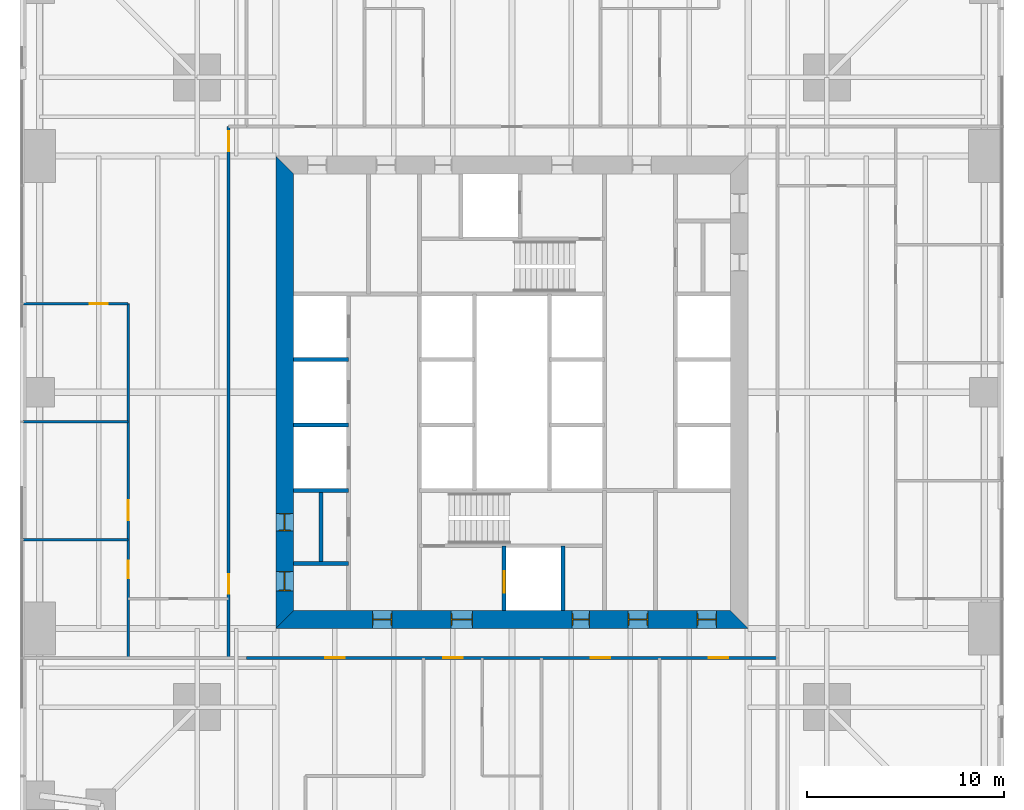
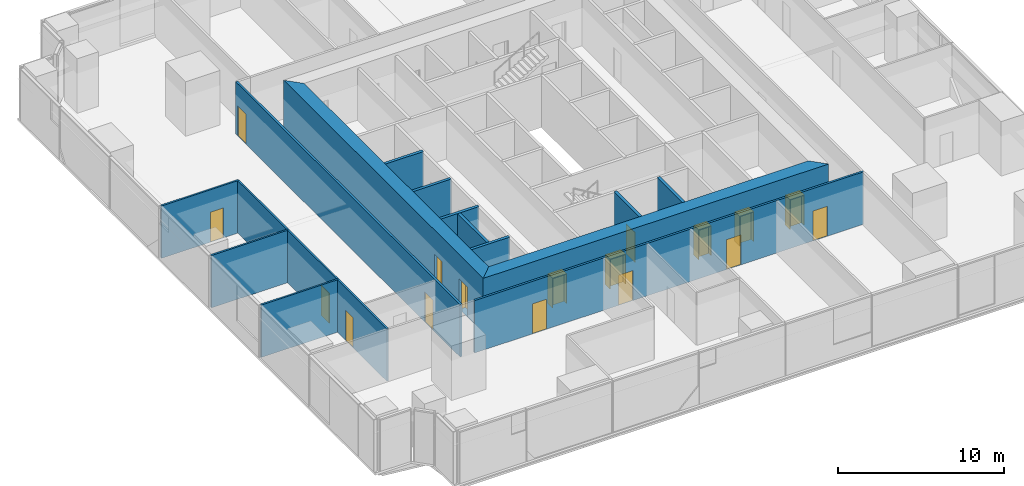
# One storey, part 9 of 13: 17 doors, 15 walls, 17 openings.
"""IFC4 building model written with IfcOpenShell, lengths in metres."""

from ifc_helpers import new_model, si_unit, direction, frame, frame_2d, origin, place, context, subcontext, project, spatial, polyline, rectangle, outline, extrude, material, layer, layer_set, type_object, element, fill, save


model = new_model("IFC4")

# Units and contexts
model_context = context("Model", 3, precision=1e-05, world=origin(), true_north=direction((0.0, 1.0)))
body_context = subcontext(model_context, "Body", "Model", "MODEL_VIEW")
ifc_project = project(units=[si_unit("LENGTHUNIT", "METRE"), si_unit("AREAUNIT", "SQUARE_METRE"), si_unit("VOLUMEUNIT", "CUBIC_METRE"), si_unit("PLANEANGLEUNIT", "RADIAN"), si_unit("MASSUNIT", "GRAM", prefix="KILO")], contexts=[model_context])

# Site, building, storey
site_placement = place(None, origin())
site = spatial("IfcSite", under=ifc_project, at=site_placement, CompositionType="ELEMENT")
building_placement = place(site_placement, origin())
building = spatial("IfcBuilding", under=site, at=building_placement, Name="Fenwick Lantern Interchange", CompositionType="ELEMENT")
storey_placement = place(building_placement, frame((0.0, 0.0, 39.0)))
storey = spatial("IfcBuildingStorey", under=building, at=storey_placement, Name="L08", CompositionType="ELEMENT", Elevation=39.0)

# Walls
ifc_material_1 = material(Name="Concrete masonry ASTM C90 Grade N", Category="masonry")
ifc_layer_1 = layer(ifc_material_1, 0.199951171875)
ifc_layer_set_1 = layer_set([ifc_layer_1], Name="Concrete masonry ASTM C90 Grade N")
wall_type_1 = type_object("IfcWallType", Name="CORE PARTITION 200", PredefinedType="PARTITIONING", material=ifc_layer_set_1)
for number, where, z_axis, x_axis, name in (
    (1, (13.89990234375, 20.0, 0.0), (0.0, 0.0, 1.0), (1.0, 0.0, 0.0), "L08/W/CORES/c2"),
    (2, (13.89990234375, 23.333251953125, 0.0), (0.0, 0.0, 1.0), (1.0, 0.0, 0.0), "L08/W/CORES/d1"),
    (3, (13.89990234375, 26.666748046875, 0.0), (0.0, 0.0, 1.0), (1.0, 0.0, 0.0), "L08/W/CORES/d2"),
):
    element("IfcWall", number, at=place(storey_placement, frame(where, z_axis=z_axis, x_axis=x_axis)), inside=storey, type_object=wall_type_1, Name=name, PredefinedType="PARTITIONING", context=body_context, shape_type="SweptSolid", body=[
        extrude(rectangle(XDim=2.800048828125, YDim=0.199951171875, at=frame_2d((1.39990234375, 0.0))), origin(), (0.0, 0.0, 1.0), 3.800048828125),
    ])

# Wall, opening, door
wall_1_placement = place(storey_placement, frame((24.60009765625, 13.89990234375, 0.0), z_axis=(0.0, 0.0, 1.0), x_axis=(0.0, 1.0, 0.0)))
wall_1 = element("IfcWall", 4, at=wall_1_placement, inside=storey, type_object=wall_type_1, Name="L08/W/CORES/h1", PredefinedType="PARTITIONING", context=body_context, shape_type="SweptSolid", body=[
    extrude(rectangle(XDim=3.300048828125, YDim=0.199951171875, at=frame_2d((1.64990234375, 0.0))), origin(), (0.0, 0.0, 1.0), 3.800048828125),
])
opening_1_placement = place(wall_1_placement, frame((0.89990234375, 0.0, 0.0)))
opening_1 = element("IfcOpeningElement", 5, at=opening_1_placement, cuts=wall_1, Name="Opening LD-FL1", PredefinedType="OPENING", context=body_context, shape_type="SweptSolid", body=[
    extrude(rectangle(XDim=1.10009765625, YDim=2.199951171875, at=frame_2d((0.550048828125, 1.10009765625))), frame((0.0, 0.10986328125, 0.0), z_axis=(0.0, -1.0, 0.0), x_axis=(1.0, 0.0, 0.0)), (0.0, 0.0, 1.0), 0.219970703125),
])
ifc_material_2 = material(Name="Steel door and frame", Category="steel")
door_type_1 = type_object("IfcDoorType", Name="LIFT LANDING DOOR 1100 X 2200", OperationType="DOUBLE_DOOR_SLIDING", PredefinedType="DOOR", material=ifc_material_2)
door_1_placement = place(opening_1_placement, origin())
door_1 = element("IfcDoor", 6, at=door_1_placement, inside=storey, type_object=door_type_1, Name="Lift landing door FL1", OperationType="DOUBLE_DOOR_SLIDING", OverallHeight=2.199951171875, OverallWidth=1.10009765625, PredefinedType="DOOR", context=body_context, shape_type="SweptSolid", body=[
    extrude(rectangle(XDim=1.10009765625, YDim=2.199951171875, at=frame_2d((0.550048828125, 1.10009765625))), frame((0.0, 0.02490234375, 0.0), z_axis=(0.0, -1.0, 0.0), x_axis=(1.0, 0.0, 0.0)), (0.0, 0.0, 1.0), 0.050048828125),
])
fill(opening_1, door_1)

# Walls
wall_2_placement = place(storey_placement, frame((27.60009765625, 13.89990234375, 0.0), z_axis=(0.0, 0.0, 1.0), x_axis=(0.0, 1.0, 0.0)))
element("IfcWall", 7, at=wall_2_placement, inside=storey, type_object=wall_type_1, Name="L08/W/CORES/h2", PredefinedType="PARTITIONING", context=body_context, shape_type="SweptSolid", body=[
    extrude(rectangle(XDim=3.300048828125, YDim=0.199951171875, at=frame_2d((1.64990234375, 0.0))), origin(), (0.0, 0.0, 1.0), 3.800048828125),
])
wall_3_placement = place(storey_placement, frame((13.89990234375, 16.300048828125, 0.0), z_axis=(0.0, 0.0, 1.0), x_axis=(1.0, 0.0, 0.0)))
element("IfcWall", 8, at=wall_3_placement, inside=storey, type_object=wall_type_1, Name="L08/W/CORES/p1", PredefinedType="PARTITIONING", context=body_context, shape_type="SweptSolid", body=[
    extrude(rectangle(XDim=2.800048828125, YDim=0.199951171875, at=frame_2d((1.39990234375, 0.0))), origin(), (0.0, 0.0, 1.0), 3.800048828125),
])
wall_4_placement = place(storey_placement, frame((15.300048828125, 16.300048828125, 0.0), z_axis=(0.0, 0.0, 1.0), x_axis=(0.0, 1.0, 0.0)))
element("IfcWall", 9, at=wall_4_placement, inside=storey, type_object=wall_type_1, Name="L08/W/CORES/px", PredefinedType="PARTITIONING", context=body_context, shape_type="SweptSolid", body=[
    extrude(rectangle(XDim=3.699951171875, YDim=0.199951171875, at=frame_2d((1.85009765625, 0.0))), origin(), (0.0, 0.0, 1.0), 3.800048828125),
])

# Wall, openings, doors
ifc_material_3 = material(Name="Concrete f'c 70 MPa", Category="concrete")
ifc_layer_2 = layer(ifc_material_3, 0.89990234375)
ifc_layer_set_2 = layer_set([ifc_layer_2], Name="CORE WALL 900")
wall_type_2 = type_object("IfcWallType", Name="CORE WALL 900", PredefinedType="SHEAR", material=ifc_layer_set_2)
wall_5_placement = place(storey_placement, frame((13.0, 13.449951171875, 0.0), z_axis=(0.0, 0.0, 1.0), x_axis=(1.0, 0.0, 0.0)))
wall_5 = element("IfcWall", 10, at=wall_5_placement, inside=storey, type_object=wall_type_2, Name="L08/CORE/S", PredefinedType="SHEAR", context=body_context, shape_type="SweptSolid", body=[
    extrude(outline(polyline([(0.0, -0.449951171875), (24.0, -0.449951171875), (23.10009765625, 0.449951171875), (0.89990234375, 0.449951171875), (0.0, -0.449951171875)])), origin(), (0.0, 0.0, 1.0), 4.0),
])
opening_2_placement = place(wall_5_placement, frame((4.89990234375, 0.0, 0.0)))
opening_2 = element("IfcOpeningElement", 11, at=opening_2_placement, cuts=wall_5, Name="Opening L08-D001", PredefinedType="OPENING", context=body_context, shape_type="SweptSolid", body=[
    extrude(rectangle(XDim=1.0, YDim=2.199951171875, at=frame_2d((0.5, 1.10009765625))), frame((0.0, 0.4599609375, 0.0), z_axis=(0.0, -1.0, 0.0), x_axis=(1.0, 0.0, 0.0)), (0.0, 0.0, 1.0), 0.919921875),
])
opening_3_placement = place(wall_5_placement, frame((8.89990234375, 0.0, 0.0)))
opening_3 = element("IfcOpeningElement", 12, at=opening_3_placement, cuts=wall_5, Name="Opening L08-D002", PredefinedType="OPENING", context=body_context, shape_type="SweptSolid", body=[
    extrude(rectangle(XDim=1.10009765625, YDim=2.199951171875, at=frame_2d((0.550048828125, 1.10009765625))), frame((0.0, 0.4599609375, 0.0), z_axis=(0.0, -1.0, 0.0), x_axis=(1.0, 0.0, 0.0)), (0.0, 0.0, 1.0), 0.919921875),
])
opening_4_placement = place(wall_5_placement, frame((15.050048828125, 0.0, 0.0)))
opening_4 = element("IfcOpeningElement", 13, at=opening_4_placement, cuts=wall_5, Name="Opening L08-D004", PredefinedType="OPENING", context=body_context, shape_type="SweptSolid", body=[
    extrude(rectangle(XDim=0.89990234375, YDim=2.199951171875, at=frame_2d((0.449951171875, 1.10009765625))), frame((0.0, 0.4599609375, 0.0), z_axis=(0.0, -1.0, 0.0), x_axis=(1.0, 0.0, 0.0)), (0.0, 0.0, 1.0), 0.919921875),
])
opening_5_placement = place(wall_5_placement, frame((17.89990234375, 0.0, 0.0)))
opening_5 = element("IfcOpeningElement", 14, at=opening_5_placement, cuts=wall_5, Name="Opening L08-D005", PredefinedType="OPENING", context=body_context, shape_type="SweptSolid", body=[
    extrude(rectangle(XDim=1.0, YDim=2.199951171875, at=frame_2d((0.5, 1.10009765625))), frame((0.0, 0.4599609375, 0.0), z_axis=(0.0, -1.0, 0.0), x_axis=(1.0, 0.0, 0.0)), (0.0, 0.0, 1.0), 0.919921875),
])
opening_6_placement = place(wall_5_placement, frame((21.39990234375, 0.0, 0.0)))
opening_6 = element("IfcOpeningElement", 15, at=opening_6_placement, cuts=wall_5, Name="Opening L08-D006", PredefinedType="OPENING", context=body_context, shape_type="SweptSolid", body=[
    extrude(rectangle(XDim=1.0, YDim=2.199951171875, at=frame_2d((0.5, 1.10009765625))), frame((0.0, 0.4599609375, 0.0), z_axis=(0.0, -1.0, 0.0), x_axis=(1.0, 0.0, 0.0)), (0.0, 0.0, 1.0), 0.919921875),
])
door_type_2 = type_object("IfcDoorType", Name="CORE LOBBY DOOR 1000 X 2200", OperationType="SINGLE_SWING_LEFT", PredefinedType="DOOR", material=ifc_material_2)
door_2_placement = place(opening_2_placement, origin())
door_2 = element("IfcDoor", 16, at=door_2_placement, inside=storey, type_object=door_type_2, Name="Core lobby door", OperationType="SINGLE_SWING_LEFT", OverallHeight=2.199951171875, OverallWidth=1.0, PredefinedType="DOOR", context=body_context, shape_type="SweptSolid", body=[
    extrude(rectangle(XDim=1.0, YDim=2.199951171875, at=frame_2d((0.5, 1.10009765625))), frame((0.0, 0.02490234375, 0.0), z_axis=(0.0, -1.0, 0.0), x_axis=(1.0, 0.0, 0.0)), (0.0, 0.0, 1.0), 0.050048828125),
    extrude(outline(polyline([(0.0, 0.0), (0.0400390625, 0.0), (0.0400390625, 2.159912109375), (0.9599609375, 2.159912109375), (0.9599609375, 0.0), (1.0, 0.0), (1.0, 2.199951171875), (0.0, 2.199951171875), (0.0, 0.0)])), frame((0.0, 0.300048828125, 0.0), z_axis=(0.0, -1.0, 0.0), x_axis=(1.0, 0.0, 0.0)), (0.0, 0.0, 1.0), 0.60009765625),
])
fill(opening_2, door_2)
door_type_3 = type_object("IfcDoorType", Name="FIRE LOBBY DOOR 1100 X 2200", OperationType="SINGLE_SWING_LEFT", PredefinedType="DOOR", material=ifc_material_2)
door_3_placement = place(opening_3_placement, origin())
door_3 = element("IfcDoor", 17, at=door_3_placement, inside=storey, type_object=door_type_3, Name="Fire lobby door", OperationType="SINGLE_SWING_LEFT", OverallHeight=2.199951171875, OverallWidth=1.10009765625, PredefinedType="DOOR", context=body_context, shape_type="SweptSolid", body=[
    extrude(rectangle(XDim=1.10009765625, YDim=2.199951171875, at=frame_2d((0.550048828125, 1.10009765625))), frame((0.0, 0.02490234375, 0.0), z_axis=(0.0, -1.0, 0.0), x_axis=(1.0, 0.0, 0.0)), (0.0, 0.0, 1.0), 0.050048828125),
    extrude(outline(polyline([(0.0, 0.0), (0.0400390625, 0.0), (0.0400390625, 2.159912109375), (1.06005859375, 2.159912109375), (1.06005859375, 0.0), (1.10009765625, 0.0), (1.10009765625, 2.199951171875), (0.0, 2.199951171875), (0.0, 0.0)])), frame((0.0, 0.300048828125, 0.0), z_axis=(0.0, -1.0, 0.0), x_axis=(1.0, 0.0, 0.0)), (0.0, 0.0, 1.0), 0.60009765625),
])
fill(opening_3, door_3)
door_type_4 = type_object("IfcDoorType", Name="SERVICE DOOR 900 X 2200", OperationType="SINGLE_SWING_LEFT", PredefinedType="DOOR", material=ifc_material_2)
door_4_placement = place(opening_4_placement, origin())
door_4 = element("IfcDoor", 18, at=door_4_placement, inside=storey, type_object=door_type_4, Name="Service door", OperationType="SINGLE_SWING_LEFT", OverallHeight=2.199951171875, OverallWidth=0.89990234375, PredefinedType="DOOR", context=body_context, shape_type="SweptSolid", body=[
    extrude(rectangle(XDim=0.89990234375, YDim=2.199951171875, at=frame_2d((0.449951171875, 1.10009765625))), frame((0.0, 0.02490234375, 0.0), z_axis=(0.0, -1.0, 0.0), x_axis=(1.0, 0.0, 0.0)), (0.0, 0.0, 1.0), 0.050048828125),
    extrude(outline(polyline([(0.0, 0.0), (0.0400390625, 0.0), (0.0400390625, 2.159912109375), (0.85986328125, 2.159912109375), (0.85986328125, 0.0), (0.89990234375, 0.0), (0.89990234375, 2.199951171875), (0.0, 2.199951171875), (0.0, 0.0)])), frame((0.0, 0.300048828125, 0.0), z_axis=(0.0, -1.0, 0.0), x_axis=(1.0, 0.0, 0.0)), (0.0, 0.0, 1.0), 0.60009765625),
])
fill(opening_4, door_4)
ifc_material_4 = material(Name="Hardwood door and steel frame", Category="steel")
door_type_5 = type_object("IfcDoorType", Name="WC DOOR 1000 X 2200", OperationType="SINGLE_SWING_LEFT", PredefinedType="DOOR", material=ifc_material_4)
door_5_placement = place(opening_5_placement, origin())
door_5 = element("IfcDoor", 19, at=door_5_placement, inside=storey, type_object=door_type_5, Name="Wc door", OperationType="SINGLE_SWING_RIGHT", OverallHeight=2.199951171875, OverallWidth=1.0, PredefinedType="DOOR", context=body_context, shape_type="SweptSolid", body=[
    extrude(rectangle(XDim=1.0, YDim=2.199951171875, at=frame_2d((0.5, 1.10009765625))), frame((0.0, 0.02490234375, 0.0), z_axis=(0.0, -1.0, 0.0), x_axis=(1.0, 0.0, 0.0)), (0.0, 0.0, 1.0), 0.050048828125),
    extrude(outline(polyline([(0.0, 0.0), (0.0400390625, 0.0), (0.0400390625, 2.159912109375), (0.9599609375, 2.159912109375), (0.9599609375, 0.0), (1.0, 0.0), (1.0, 2.199951171875), (0.0, 2.199951171875), (0.0, 0.0)])), frame((0.0, 0.300048828125, 0.0), z_axis=(0.0, -1.0, 0.0), x_axis=(1.0, 0.0, 0.0)), (0.0, 0.0, 1.0), 0.60009765625),
])
fill(opening_5, door_5)
door_6_placement = place(opening_6_placement, origin())
door_6 = element("IfcDoor", 20, at=door_6_placement, inside=storey, type_object=door_type_5, Name="Wc door", OperationType="SINGLE_SWING_RIGHT", OverallHeight=2.199951171875, OverallWidth=1.0, PredefinedType="DOOR", context=body_context, shape_type="SweptSolid", body=[
    extrude(rectangle(XDim=1.0, YDim=2.199951171875, at=frame_2d((0.5, 1.10009765625))), frame((0.0, 0.02490234375, 0.0), z_axis=(0.0, -1.0, 0.0), x_axis=(1.0, 0.0, 0.0)), (0.0, 0.0, 1.0), 0.050048828125),
    extrude(outline(polyline([(0.0, 0.0), (0.0400390625, 0.0), (0.0400390625, 2.159912109375), (0.9599609375, 2.159912109375), (0.9599609375, 0.0), (1.0, 0.0), (1.0, 2.199951171875), (0.0, 2.199951171875), (0.0, 0.0)])), frame((0.0, 0.300048828125, 0.0), z_axis=(0.0, -1.0, 0.0), x_axis=(1.0, 0.0, 0.0)), (0.0, 0.0, 1.0), 0.60009765625),
])
fill(opening_6, door_6)

wall_6_placement = place(storey_placement, frame((13.449951171875, 36.10009765625, 0.0), z_axis=(0.0, 0.0, 1.0), x_axis=(0.0, -1.0, 0.0)))
wall_6 = element("IfcWall", 21, at=wall_6_placement, inside=storey, type_object=wall_type_2, Name="L08/CORE/W", PredefinedType="SHEAR", context=body_context, shape_type="SweptSolid", body=[
    extrude(outline(polyline([(-0.89990234375, -0.449951171875), (23.10009765625, -0.449951171875), (22.199951171875, 0.449951171875), (0.0, 0.449951171875), (-0.89990234375, -0.449951171875)])), origin(), (0.0, 0.0, 1.0), 4.0),
])
opening_7_placement = place(wall_6_placement, frame((20.199951171875, 0.0, 0.0)))
opening_7 = element("IfcOpeningElement", 22, at=opening_7_placement, cuts=wall_6, Name="Opening L08-D007", PredefinedType="OPENING", context=body_context, shape_type="SweptSolid", body=[
    extrude(rectangle(XDim=1.0, YDim=2.199951171875, at=frame_2d((0.5, 1.10009765625))), frame((0.0, 0.4599609375, 0.0), z_axis=(0.0, -1.0, 0.0), x_axis=(1.0, 0.0, 0.0)), (0.0, 0.0, 1.0), 0.919921875),
])
opening_8_placement = place(wall_6_placement, frame((17.25, 0.0, 0.0)))
opening_8 = element("IfcOpeningElement", 23, at=opening_8_placement, cuts=wall_6, Name="Opening L08-D009", PredefinedType="OPENING", context=body_context, shape_type="SweptSolid", body=[
    extrude(rectangle(XDim=0.89990234375, YDim=2.199951171875, at=frame_2d((0.449951171875, 1.10009765625))), frame((0.0, 0.4599609375, 0.0), z_axis=(0.0, -1.0, 0.0), x_axis=(1.0, 0.0, 0.0)), (0.0, 0.0, 1.0), 0.919921875),
])
door_7_placement = place(opening_8_placement, origin())
door_7 = element("IfcDoor", 24, at=door_7_placement, inside=storey, type_object=door_type_4, Name="Service door", OperationType="SINGLE_SWING_LEFT", OverallHeight=2.199951171875, OverallWidth=0.89990234375, PredefinedType="DOOR", context=body_context, shape_type="SweptSolid", body=[
    extrude(rectangle(XDim=0.89990234375, YDim=2.199951171875, at=frame_2d((0.449951171875, 1.10009765625))), frame((0.0, 0.02490234375, 0.0), z_axis=(0.0, -1.0, 0.0), x_axis=(1.0, 0.0, 0.0)), (0.0, 0.0, 1.0), 0.050048828125),
    extrude(outline(polyline([(0.0, 0.0), (0.0400390625, 0.0), (0.0400390625, 2.159912109375), (0.85986328125, 2.159912109375), (0.85986328125, 0.0), (0.89990234375, 0.0), (0.89990234375, 2.199951171875), (0.0, 2.199951171875), (0.0, 0.0)])), frame((0.0, 0.300048828125, 0.0), z_axis=(0.0, -1.0, 0.0), x_axis=(1.0, 0.0, 0.0)), (0.0, 0.0, 1.0), 0.60009765625),
])
fill(opening_8, door_7)
door_8_placement = place(opening_7_placement, origin())
door_8 = element("IfcDoor", 25, at=door_8_placement, inside=storey, type_object=door_type_5, Name="Wc door", OperationType="SINGLE_SWING_LEFT", OverallHeight=2.199951171875, OverallWidth=1.0, PredefinedType="DOOR", context=body_context, shape_type="SweptSolid", body=[
    extrude(rectangle(XDim=1.0, YDim=2.199951171875, at=frame_2d((0.5, 1.10009765625))), frame((0.0, 0.02490234375, 0.0), z_axis=(0.0, -1.0, 0.0), x_axis=(1.0, 0.0, 0.0)), (0.0, 0.0, 1.0), 0.050048828125),
    extrude(outline(polyline([(0.0, 0.0), (0.0400390625, 0.0), (0.0400390625, 2.159912109375), (0.9599609375, 2.159912109375), (0.9599609375, 0.0), (1.0, 0.0), (1.0, 2.199951171875), (0.0, 2.199951171875), (0.0, 0.0)])), frame((0.0, 0.300048828125, 0.0), z_axis=(0.0, -1.0, 0.0), x_axis=(1.0, 0.0, 0.0)), (0.0, 0.0, 1.0), 0.60009765625),
])
fill(opening_7, door_8)

ifc_material_5 = material(Name="Gypsum board on steel studs, 1 hour", Category="steel")
ifc_layer_3 = layer(ifc_material_5, 0.14990234375)
ifc_layer_set_3 = layer_set([ifc_layer_3], Name="CORRIDOR WALL 150")
wall_type_3 = type_object("IfcWallType", Name="CORRIDOR WALL 150", PredefinedType="PARTITIONING", material=ifc_layer_set_3)
wall_7_placement = place(storey_placement, frame((11.5, 11.5, 0.0), z_axis=(0.0, 0.0, 1.0), x_axis=(1.0, 0.0, 0.0)))
wall_7 = element("IfcWall", 26, at=wall_7_placement, inside=storey, type_object=wall_type_3, Name="L08/W/OFF/S/CW", PredefinedType="PARTITIONING", context=body_context, shape_type="SweptSolid", body=[
    extrude(rectangle(XDim=27.0, YDim=0.14990234375, at=frame_2d((13.5, 0.0))), origin(), (0.0, 0.0, 1.0), 3.85009765625),
])
opening_9_placement = place(wall_7_placement, frame((4.0, 0.0, 0.0)))
opening_9 = element("IfcOpeningElement", 27, at=opening_9_placement, cuts=wall_7, Name="Opening L08-D019", PredefinedType="OPENING", context=body_context, shape_type="SweptSolid", body=[
    extrude(rectangle(XDim=1.0, YDim=2.199951171875, at=frame_2d((0.5, 1.10009765625))), frame((0.0, 0.0849609375, 0.0), z_axis=(0.0, -1.0, 0.0), x_axis=(1.0, 0.0, 0.0)), (0.0, 0.0, 1.0), 0.169921875),
])
opening_10_placement = place(wall_7_placement, frame((10.0, 0.0, 0.0)))
opening_10 = element("IfcOpeningElement", 28, at=opening_10_placement, cuts=wall_7, Name="Opening L08-D020", PredefinedType="OPENING", context=body_context, shape_type="SweptSolid", body=[
    extrude(rectangle(XDim=1.0, YDim=2.199951171875, at=frame_2d((0.5, 1.10009765625))), frame((0.0, 0.0849609375, 0.0), z_axis=(0.0, -1.0, 0.0), x_axis=(1.0, 0.0, 0.0)), (0.0, 0.0, 1.0), 0.169921875),
])
opening_11_placement = place(wall_7_placement, frame((17.5, 0.0, 0.0)))
opening_11 = element("IfcOpeningElement", 29, at=opening_11_placement, cuts=wall_7, Name="Opening L08-D022", PredefinedType="OPENING", context=body_context, shape_type="SweptSolid", body=[
    extrude(rectangle(XDim=1.0, YDim=2.199951171875, at=frame_2d((0.5, 1.10009765625))), frame((0.0, 0.0849609375, 0.0), z_axis=(0.0, -1.0, 0.0), x_axis=(1.0, 0.0, 0.0)), (0.0, 0.0, 1.0), 0.169921875),
])
opening_12_placement = place(wall_7_placement, frame((23.5, 0.0, 0.0)))
opening_12 = element("IfcOpeningElement", 30, at=opening_12_placement, cuts=wall_7, Name="Opening L08-D023", PredefinedType="OPENING", context=body_context, shape_type="SweptSolid", body=[
    extrude(rectangle(XDim=1.0, YDim=2.199951171875, at=frame_2d((0.5, 1.10009765625))), frame((0.0, 0.0849609375, 0.0), z_axis=(0.0, -1.0, 0.0), x_axis=(1.0, 0.0, 0.0)), (0.0, 0.0, 1.0), 0.169921875),
])
door_type_6 = type_object("IfcDoorType", Name="SUITE ENTRANCE DOOR 1000 X 2200", OperationType="SINGLE_SWING_LEFT", PredefinedType="DOOR", material=ifc_material_2)
door_9_placement = place(opening_9_placement, frame((1.0, 0.0, 0.0), z_axis=(0.0, 0.0, 1.0), x_axis=(-1.0, 0.0, 0.0)))
door_9 = element("IfcDoor", 31, at=door_9_placement, inside=storey, type_object=door_type_6, Name="Suite entrance door", OperationType="SINGLE_SWING_LEFT", OverallHeight=2.199951171875, OverallWidth=1.0, PredefinedType="DOOR", context=body_context, shape_type="SweptSolid", body=[
    extrude(rectangle(XDim=1.0, YDim=2.199951171875, at=frame_2d((0.5, 1.10009765625))), frame((0.0, 0.02490234375, 0.0), z_axis=(0.0, -1.0, 0.0), x_axis=(1.0, 0.0, 0.0)), (0.0, 0.0, 1.0), 0.050048828125),
])
fill(opening_9, door_9)
door_10_placement = place(opening_10_placement, frame((1.0, 0.0, 0.0), z_axis=(0.0, 0.0, 1.0), x_axis=(-1.0, 0.0, 0.0)))
door_10 = element("IfcDoor", 32, at=door_10_placement, inside=storey, type_object=door_type_6, Name="Suite entrance door", OperationType="SINGLE_SWING_RIGHT", OverallHeight=2.199951171875, OverallWidth=1.0, PredefinedType="DOOR", context=body_context, shape_type="SweptSolid", body=[
    extrude(rectangle(XDim=1.0, YDim=2.199951171875, at=frame_2d((0.5, 1.10009765625))), frame((0.0, 0.02490234375, 0.0), z_axis=(0.0, -1.0, 0.0), x_axis=(1.0, 0.0, 0.0)), (0.0, 0.0, 1.0), 0.050048828125),
])
fill(opening_10, door_10)
door_11_placement = place(opening_11_placement, frame((1.0, 0.0, 0.0), z_axis=(0.0, 0.0, 1.0), x_axis=(-1.0, 0.0, 0.0)))
door_11 = element("IfcDoor", 33, at=door_11_placement, inside=storey, type_object=door_type_6, Name="Suite entrance door", OperationType="SINGLE_SWING_RIGHT", OverallHeight=2.199951171875, OverallWidth=1.0, PredefinedType="DOOR", context=body_context, shape_type="SweptSolid", body=[
    extrude(rectangle(XDim=1.0, YDim=2.199951171875, at=frame_2d((0.5, 1.10009765625))), frame((0.0, 0.02490234375, 0.0), z_axis=(0.0, -1.0, 0.0), x_axis=(1.0, 0.0, 0.0)), (0.0, 0.0, 1.0), 0.050048828125),
])
fill(opening_11, door_11)
door_12_placement = place(opening_12_placement, frame((1.0, 0.0, 0.0), z_axis=(0.0, 0.0, 1.0), x_axis=(-1.0, 0.0, 0.0)))
door_12 = element("IfcDoor", 34, at=door_12_placement, inside=storey, type_object=door_type_6, Name="Suite entrance door", OperationType="SINGLE_SWING_RIGHT", OverallHeight=2.199951171875, OverallWidth=1.0, PredefinedType="DOOR", context=body_context, shape_type="SweptSolid", body=[
    extrude(rectangle(XDim=1.0, YDim=2.199951171875, at=frame_2d((0.5, 1.10009765625))), frame((0.0, 0.02490234375, 0.0), z_axis=(0.0, -1.0, 0.0), x_axis=(1.0, 0.0, 0.0)), (0.0, 0.0, 1.0), 0.050048828125),
])
fill(opening_12, door_12)

wall_8_placement = place(storey_placement, frame((10.60009765625, 38.5, 0.0), z_axis=(0.0, 0.0, 1.0), x_axis=(0.0, -1.0, 0.0)))
wall_8 = element("IfcWall", 35, at=wall_8_placement, inside=storey, type_object=wall_type_3, Name="L08/W/OFF/W/CW2", PredefinedType="PARTITIONING", context=body_context, shape_type="SweptSolid", body=[
    extrude(rectangle(XDim=27.0, YDim=0.14990234375, at=frame_2d((13.5, 0.0))), origin(), (0.0, 0.0, 1.0), 3.85009765625),
])
opening_13_placement = place(wall_8_placement, frame((0.25, 0.0, 0.0)))
opening_13 = element("IfcOpeningElement", 36, at=opening_13_placement, cuts=wall_8, Name="Opening L08-D036", PredefinedType="OPENING", context=body_context, shape_type="SweptSolid", body=[
    extrude(rectangle(XDim=1.0, YDim=2.199951171875, at=frame_2d((0.5, 1.10009765625))), frame((0.0, 0.0849609375, 0.0), z_axis=(0.0, -1.0, 0.0), x_axis=(1.0, 0.0, 0.0)), (0.0, 0.0, 1.0), 0.169921875),
])
opening_14_placement = place(wall_8_placement, frame((22.75, 0.0, 0.0)))
opening_14 = element("IfcOpeningElement", 37, at=opening_14_placement, cuts=wall_8, Name="Opening L08-D037", PredefinedType="OPENING", context=body_context, shape_type="SweptSolid", body=[
    extrude(rectangle(XDim=1.0, YDim=2.199951171875, at=frame_2d((0.5, 1.10009765625))), frame((0.0, 0.0849609375, 0.0), z_axis=(0.0, -1.0, 0.0), x_axis=(1.0, 0.0, 0.0)), (0.0, 0.0, 1.0), 0.169921875),
])
door_13_placement = place(opening_13_placement, origin())
door_13 = element("IfcDoor", 38, at=door_13_placement, inside=storey, type_object=door_type_6, Name="Suite entrance door", OperationType="SINGLE_SWING_LEFT", OverallHeight=2.199951171875, OverallWidth=1.0, PredefinedType="DOOR", context=body_context, shape_type="SweptSolid", body=[
    extrude(rectangle(XDim=1.0, YDim=2.199951171875, at=frame_2d((0.5, 1.10009765625))), frame((0.0, 0.02490234375, 0.0), z_axis=(0.0, -1.0, 0.0), x_axis=(1.0, 0.0, 0.0)), (0.0, 0.0, 1.0), 0.050048828125),
])
fill(opening_13, door_13)
door_14_placement = place(opening_14_placement, origin())
door_14 = element("IfcDoor", 39, at=door_14_placement, inside=storey, type_object=door_type_6, Name="Suite entrance door", OperationType="SINGLE_SWING_RIGHT", OverallHeight=2.199951171875, OverallWidth=1.0, PredefinedType="DOOR", context=body_context, shape_type="SweptSolid", body=[
    extrude(rectangle(XDim=1.0, YDim=2.199951171875, at=frame_2d((0.5, 1.10009765625))), frame((0.0, 0.02490234375, 0.0), z_axis=(0.0, -1.0, 0.0), x_axis=(1.0, 0.0, 0.0)), (0.0, 0.0, 1.0), 0.050048828125),
])
fill(opening_14, door_14)

# Wall, opening, door
ifc_material_6 = material(Name="Gypsum board on steel studs, acoustic", Category="steel")
ifc_layer_4 = layer(ifc_material_6, 0.125)
ifc_layer_set_4 = layer_set([ifc_layer_4], Name="OFFICE PARTITION 125")
wall_type_4 = type_object("IfcWallType", Name="OFFICE PARTITION 125", PredefinedType="PARTITIONING", material=ifc_layer_set_4)
wall_9_placement = place(storey_placement, frame((0.14990234375, 29.5, 0.0), z_axis=(0.0, 0.0, 1.0), x_axis=(1.0, 0.0, 0.0)))
wall_9 = element("IfcWall", 40, at=wall_9_placement, inside=storey, type_object=wall_type_4, Name="L08/W/OFF/W/X205-1", PredefinedType="PARTITIONING", context=body_context, shape_type="SweptSolid", body=[
    extrude(rectangle(XDim=5.35009765625, YDim=0.125, at=frame_2d((2.675048828125, 0.0))), origin(), (0.0, 0.0, 1.0), 3.85009765625),
])
opening_15_placement = place(wall_9_placement, frame((3.39990234375, 0.0, 0.0)))
opening_15 = element("IfcOpeningElement", 41, at=opening_15_placement, cuts=wall_9, Name="Opening L08-D038", PredefinedType="OPENING", context=body_context, shape_type="SweptSolid", body=[
    extrude(rectangle(XDim=0.89990234375, YDim=2.199951171875, at=frame_2d((0.449951171875, 1.10009765625))), frame((0.0, 0.072509765625, 0.0), z_axis=(0.0, -1.0, 0.0), x_axis=(1.0, 0.0, 0.0)), (0.0, 0.0, 1.0), 0.14501953125),
])
door_type_7 = type_object("IfcDoorType", Name="OFFICE DOOR 900 X 2200", OperationType="SINGLE_SWING_LEFT", PredefinedType="DOOR", material=ifc_material_4)
door_15_placement = place(opening_15_placement, frame((0.89990234375, 0.0, 0.0), z_axis=(0.0, 0.0, 1.0), x_axis=(-1.0, 0.0, 0.0)))
door_15 = element("IfcDoor", 42, at=door_15_placement, inside=storey, type_object=door_type_7, Name="Office door", OperationType="SINGLE_SWING_LEFT", OverallHeight=2.199951171875, OverallWidth=0.89990234375, PredefinedType="DOOR", context=body_context, shape_type="SweptSolid", body=[
    extrude(rectangle(XDim=0.89990234375, YDim=2.199951171875, at=frame_2d((0.449951171875, 1.10009765625))), frame((0.0, 0.02490234375, 0.0), z_axis=(0.0, -1.0, 0.0), x_axis=(1.0, 0.0, 0.0)), (0.0, 0.0, 1.0), 0.050048828125),
])
fill(opening_15, door_15)

# Walls
for number, where, z_axis, x_axis, name in (
    (43, (0.14990234375, 23.5, 0.0), (0.0, 0.0, 1.0), (1.0, 0.0, 0.0), "L08/W/OFF/W/X265-1"),
    (44, (0.14990234375, 17.5, 0.0), (0.0, 0.0, 1.0), (1.0, 0.0, 0.0), "L08/W/OFF/W/X325-1"),
):
    element("IfcWall", number, at=place(storey_placement, frame(where, z_axis=z_axis, x_axis=x_axis)), inside=storey, type_object=wall_type_4, Name=name, PredefinedType="PARTITIONING", context=body_context, shape_type="SweptSolid", body=[
        extrude(rectangle(XDim=5.35009765625, YDim=0.125, at=frame_2d((2.675048828125, 0.0))), origin(), (0.0, 0.0, 1.0), 3.85009765625),
    ])

# Wall, openings, doors
wall_10_placement = place(storey_placement, frame((5.5, 29.5, 0.0), z_axis=(0.0, 0.0, 1.0), x_axis=(0.0, -1.0, 0.0)))
wall_10 = element("IfcWall", 45, at=wall_10_placement, inside=storey, type_object=wall_type_4, Name="L08/W/OFF/W/Y55-1", PredefinedType="PARTITIONING", context=body_context, shape_type="SweptSolid", body=[
    extrude(rectangle(XDim=18.0, YDim=0.125, at=frame_2d((9.0, 0.0))), origin(), (0.0, 0.0, 1.0), 3.85009765625),
])
opening_16_placement = place(wall_10_placement, frame((10.0, 0.0, 0.0)))
opening_16 = element("IfcOpeningElement", 46, at=opening_16_placement, cuts=wall_10, Name="Opening L08-D039", PredefinedType="OPENING", context=body_context, shape_type="SweptSolid", body=[
    extrude(rectangle(XDim=1.0, YDim=2.199951171875, at=frame_2d((0.5, 1.10009765625))), frame((0.0, 0.072509765625, 0.0), z_axis=(0.0, -1.0, 0.0), x_axis=(1.0, 0.0, 0.0)), (0.0, 0.0, 1.0), 0.14501953125),
])
opening_17_placement = place(wall_10_placement, frame((13.050048828125, 0.0, 0.0)))
opening_17 = element("IfcOpeningElement", 47, at=opening_17_placement, cuts=wall_10, Name="Opening L08-D040", PredefinedType="OPENING", context=body_context, shape_type="SweptSolid", body=[
    extrude(rectangle(XDim=0.89990234375, YDim=2.199951171875, at=frame_2d((0.449951171875, 1.10009765625))), frame((0.0, 0.072509765625, 0.0), z_axis=(0.0, -1.0, 0.0), x_axis=(1.0, 0.0, 0.0)), (0.0, 0.0, 1.0), 0.14501953125),
])
door_type_8 = type_object("IfcDoorType", Name="MEETING ROOM DOOR 1000 X 2200", OperationType="SINGLE_SWING_LEFT", PredefinedType="DOOR", material=ifc_material_4)
door_16_placement = place(opening_16_placement, frame((1.0, 0.0, 0.0), z_axis=(0.0, 0.0, 1.0), x_axis=(-1.0, 0.0, 0.0)))
door_16 = element("IfcDoor", 48, at=door_16_placement, inside=storey, type_object=door_type_8, Name="Meeting room door", OperationType="SINGLE_SWING_LEFT", OverallHeight=2.199951171875, OverallWidth=1.0, PredefinedType="DOOR", context=body_context, shape_type="SweptSolid", body=[
    extrude(rectangle(XDim=1.0, YDim=2.199951171875, at=frame_2d((0.5, 1.10009765625))), frame((0.0, 0.02490234375, 0.0), z_axis=(0.0, -1.0, 0.0), x_axis=(1.0, 0.0, 0.0)), (0.0, 0.0, 1.0), 0.050048828125),
])
fill(opening_16, door_16)
door_17_placement = place(opening_17_placement, frame((0.89990234375, 0.0, 0.0), z_axis=(0.0, 0.0, 1.0), x_axis=(-1.0, 0.0, 0.0)))
door_17 = element("IfcDoor", 49, at=door_17_placement, inside=storey, type_object=door_type_7, Name="Office door", OperationType="SINGLE_SWING_RIGHT", OverallHeight=2.199951171875, OverallWidth=0.89990234375, PredefinedType="DOOR", context=body_context, shape_type="SweptSolid", body=[
    extrude(rectangle(XDim=0.89990234375, YDim=2.199951171875, at=frame_2d((0.449951171875, 1.10009765625))), frame((0.0, 0.02490234375, 0.0), z_axis=(0.0, -1.0, 0.0), x_axis=(1.0, 0.0, 0.0)), (0.0, 0.0, 1.0), 0.050048828125),
])
fill(opening_17, door_17)

save(model, "model.ifc")
